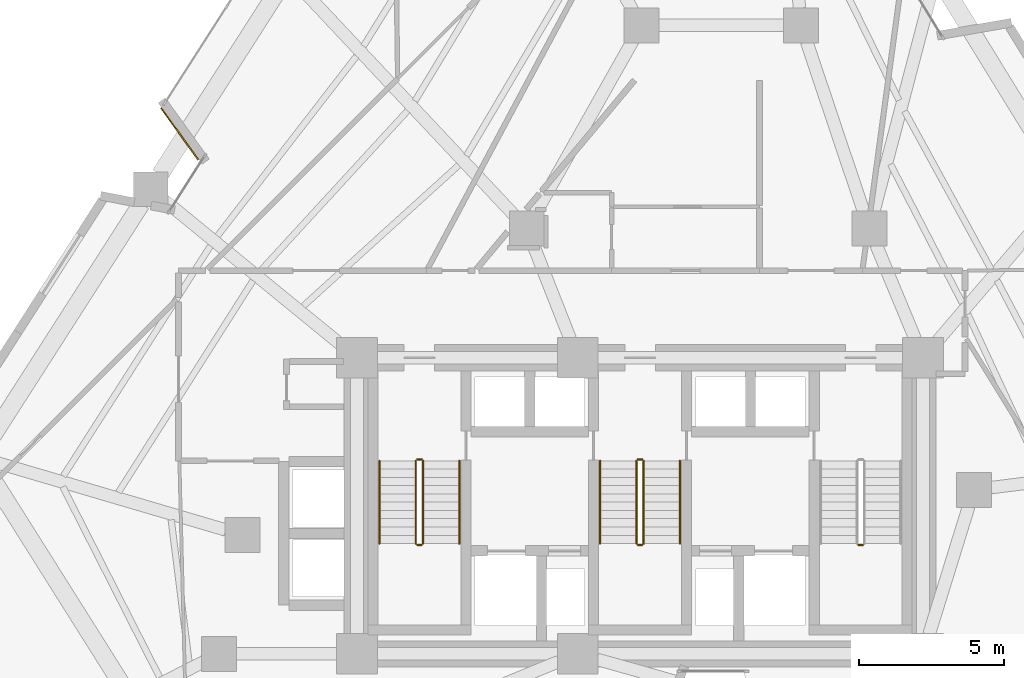
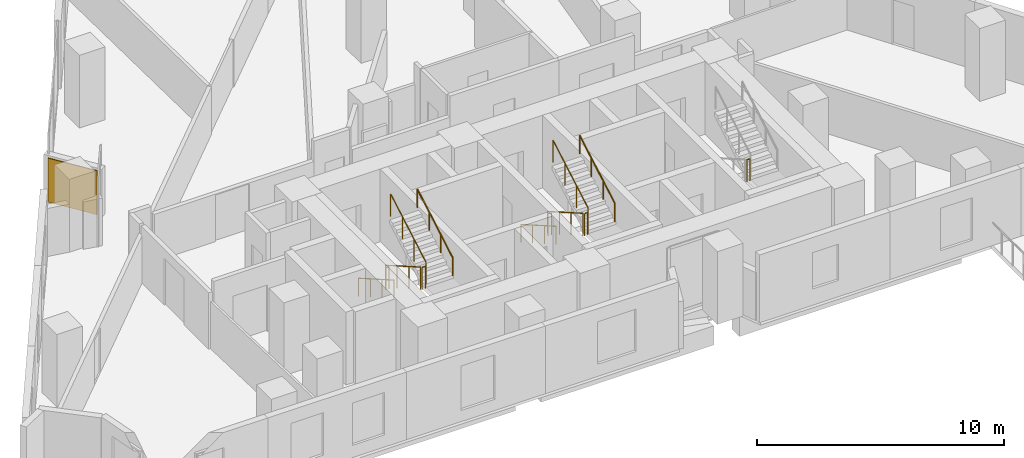
# One storey, part 10 of 12: 13 railings, 1 covering.
"""IFC4 building model written with IfcOpenShell, lengths in metres."""

import ifcopenshell
import ifcopenshell.guid

model = None  # the IFC model being written
_history = None  # IfcOwnerHistory: only IFC2X3 demands one
_inside = {}  # id of a spatial element -> (the spatial element, [elements in it])
_under = {}  # id of a project, library or spatial element -> (it, [spatial elements below it])
_declared = {}  # id of a project -> (the project, [libraries it declares])
_typed = {}  # id of a type object -> (the type object, [elements of that type])
_made_of = {}  # id of a material, layer set ... -> (it, [elements and type objects made of it])


def new_model(schema):
    """Start an empty IFC model of exactly this schema.

    Asked for "IFC4X3", IfcOpenShell would pick the latest addendum, in which some entities
    have other attributes; the version numbers below select the first issue.
    IFC2X3 requires an IfcOwnerHistory on every rooted entity: one is made here for all.
    """
    global model, _history
    if schema == "IFC4X3":
        model = ifcopenshell.file(schema_version=(4, 3, 0, 0))
    else:
        model = ifcopenshell.file(schema=schema)
    _inside.clear()
    _under.clear()
    _declared.clear()
    _typed.clear()
    _made_of.clear()
    _history = None
    if model.schema == "IFC2X3":
        org = make("IfcOrganization", Name="unknown")
        user = make(
            "IfcPersonAndOrganization",
            ThePerson=make("IfcPerson", FamilyName="unknown"),
            TheOrganization=org,
        )
        app = make(
            "IfcApplication",
            ApplicationDeveloper=org,
            Version="unknown",
            ApplicationFullName="unknown",
            ApplicationIdentifier="unknown",
        )
        _history = make(
            "IfcOwnerHistory",
            OwningUser=user,
            OwningApplication=app,
            ChangeAction="ADDED",
            CreationDate=0,
        )
    return model


def make(cls, **values):
    """One entity of the class cls with the attributes given. An attribute that is None is left unset."""
    return model.create_entity(
        cls, **{name: value for name, value in values.items() if value is not None}
    )


def rooted(cls, **values):
    """An entity with a GlobalId (a new one), such as an element, a storey or a relation."""
    return make(cls, GlobalId=ifcopenshell.guid.new(), OwnerHistory=_history, **values)


def si_unit(unit_type, name, prefix=None):
    """IfcSIUnit, for example si_unit("LENGTHUNIT", "METRE", prefix="MILLI")."""
    return make("IfcSIUnit", UnitType=unit_type, Prefix=prefix, Name=name)


def assignment(units):
    """IfcUnitAssignment: the units of a project."""
    return None if units is None else make("IfcUnitAssignment", Units=units)


def point(xyz):
    """IfcCartesianPoint."""
    return None if xyz is None else make("IfcCartesianPoint", Coordinates=xyz)


def direction(xyz):
    """IfcDirection."""
    return None if xyz is None else make("IfcDirection", DirectionRatios=xyz)


def frame(location, z_axis=None, x_axis=None):
    """IfcAxis2Placement3D, a coordinate frame: its origin and axes. An axis left out is left unset."""
    return make(
        "IfcAxis2Placement3D",
        Location=point(location),
        Axis=direction(z_axis),
        RefDirection=direction(x_axis),
    )


def frame_2d(location, x_axis=None):
    """IfcAxis2Placement2D, a coordinate frame in the plane: its origin and x axis."""
    return make(
        "IfcAxis2Placement2D", Location=point(location), RefDirection=direction(x_axis)
    )


def origin():
    """The frame at (0, 0, 0) with its axes left unset."""
    return frame((0.0, 0.0, 0.0))


def origin_2d():
    """The frame at (0, 0) in the plane with its x axis left unset."""
    return frame_2d((0.0, 0.0))


def place(relative_to, where):
    """IfcLocalPlacement: puts the frame where relative to a parent placement (None: the world)."""
    return make(
        "IfcLocalPlacement", PlacementRelTo=relative_to, RelativePlacement=where
    )


def context(
    kind, dimensions, precision=None, world=None, true_north=None, identifier=None
):
    """IfcGeometricRepresentationContext, for example the 3D "Model" context."""
    return make(
        "IfcGeometricRepresentationContext",
        ContextIdentifier=identifier,
        ContextType=kind,
        CoordinateSpaceDimension=dimensions,
        Precision=precision,
        WorldCoordinateSystem=world,
        TrueNorth=true_north,
    )


def subcontext(parent, identifier, kind, view, scale=None):
    """IfcGeometricRepresentationSubContext, for example "Body" below "Model"."""
    return make(
        "IfcGeometricRepresentationSubContext",
        ContextIdentifier=identifier,
        ContextType=kind,
        ParentContext=parent,
        TargetScale=scale,
        TargetView=view,
    )


def project(units=None, contexts=None):
    """IfcProject with its units and contexts."""
    return rooted(
        "IfcProject",
        Name="project",
        RepresentationContexts=contexts,
        UnitsInContext=assignment(units),
    )


def spatial(cls, under=None, at=None, **own):
    """A site, building, storey or space (cls), placed at a placement, below another one or the project."""
    s = rooted(cls, ObjectPlacement=at, **own)
    if under is not None:
        _under.setdefault(under.id(), (under, []))[1].append(s)
    return s


def profile(cls, at=None, kind="AREA", **sizes):
    """A parametric profile (cls). Its sizes go by their IFC names, for example OverallWidth=200.0."""
    return make(cls, ProfileType=kind, Position=at, **sizes)


def rectangle(**sizes):
    """IfcRectangleProfileDef."""
    return profile("IfcRectangleProfileDef", **sizes)


def circle(**sizes):
    """IfcCircleProfileDef."""
    return profile("IfcCircleProfileDef", **sizes)


def extrude(swept, where, along, depth):
    """IfcExtrudedAreaSolid: the profile swept, set in the frame where, extruded along a direction by depth."""
    return make(
        "IfcExtrudedAreaSolid",
        SweptArea=swept,
        Position=where,
        ExtrudedDirection=direction(along),
        Depth=depth,
    )


def shape(context_of_items, identifier, shape_type, items):
    """IfcShapeRepresentation: the items that make up one representation, for example the "Body"."""
    return make(
        "IfcShapeRepresentation",
        ContextOfItems=context_of_items,
        RepresentationIdentifier=identifier,
        RepresentationType=shape_type,
        Items=items,
    )


def material(Name=None, Category=None):
    """IfcMaterial."""
    return make("IfcMaterial", Name=Name, Category=Category)


def layer(
    of_material, thickness, ventilated=None, Name=None, Category=None, Priority=None
):
    """IfcMaterialLayer: one layer of a wall or slab, of a material (None: an air gap)."""
    return make(
        "IfcMaterialLayer",
        Material=of_material,
        LayerThickness=thickness,
        IsVentilated=ventilated,
        Name=Name,
        Category=Category,
        Priority=Priority,
    )


def layer_set(layers, Name=None):
    """IfcMaterialLayerSet."""
    return make("IfcMaterialLayerSet", MaterialLayers=layers, LayerSetName=Name)


def made_of(thing, what):
    """Note that an element or type object is made of a material, layer set ...; save() writes the relation."""
    if what is not None:
        _made_of.setdefault(what.id(), (what, []))[1].append(thing)
    return thing


def type_object(cls, material=None, **own):
    """A type object (cls), such as IfcWallType, which elements share."""
    return made_of(rooted(cls, **own), material)


def element(
    cls,
    number,
    at=None,
    inside=None,
    cuts=None,
    type_object=None,
    material=None,
    context=None,
    identifier="Body",
    shape_type=None,
    held_by="IfcProductDefinitionShape",
    body=None,
    shapes=None,
    **own,
):
    """One element of the class cls, such as IfcWall. Its Tag is "e" and its number.

    at: its placement. inside: the storey or other place that contains it. cuts: it is an
    opening in that element (IfcRelVoidsElement). A single representation is given by context,
    identifier, shape_type and body (its items); several are given by shapes. held_by: the class
    of the entity that holds the representations. save() writes the other relations.
    """
    e = rooted(cls, Tag="e%d" % number, ObjectPlacement=at, **own)
    if body is not None:
        shapes = [shape(context, identifier, shape_type, body)]
    if shapes is not None:
        e.Representation = make(held_by, Representations=shapes)
    if inside is not None:
        _inside.setdefault(inside.id(), (inside, []))[1].append(e)
    if cuts is not None:
        rooted(
            "IfcRelVoidsElement", RelatingBuildingElement=cuts, RelatedOpeningElement=e
        )
    if type_object is not None:
        _typed.setdefault(type_object.id(), (type_object, []))[1].append(e)
    return made_of(e, material)


def aggregate(whole, parts):
    """IfcRelAggregates: a whole, such as a stair, and the parts it consists of."""
    return rooted("IfcRelAggregates", RelatingObject=whole, RelatedObjects=parts)


def save(model, path):
    """Write the relations noted so far, then the file.

    IfcRelAggregates (storeys below a building ...), IfcRelContainedInSpatialStructure (elements
    in a storey), IfcRelDefinesByType, IfcRelAssociatesMaterial and IfcRelDeclares: one each for
    every whole, place, type object, material and project.
    """
    for whole, parts in _under.values():
        aggregate(whole, parts)
    for where, things in _inside.values():
        rooted(
            "IfcRelContainedInSpatialStructure",
            RelatedElements=things,
            RelatingStructure=where,
        )
    for kind, things in _typed.values():
        rooted("IfcRelDefinesByType", RelatedObjects=things, RelatingType=kind)
    for what, things in _made_of.values():
        rooted("IfcRelAssociatesMaterial", RelatedObjects=things, RelatingMaterial=what)
    for by, libraries in _declared.values():
        rooted("IfcRelDeclares", RelatingContext=by, RelatedDefinitions=libraries)
    model.write(path)


model = new_model("IFC4")

# Units and contexts
model_context = context("Model", 3, precision=1e-05, world=origin(), true_north=direction((0.0, 1.0)))
body_context = subcontext(model_context, "Body", "Model", "MODEL_VIEW")
ifc_project = project(units=[si_unit("LENGTHUNIT", "METRE"), si_unit("AREAUNIT", "SQUARE_METRE"), si_unit("VOLUMEUNIT", "CUBIC_METRE"), si_unit("PLANEANGLEUNIT", "RADIAN"), si_unit("MASSUNIT", "GRAM", prefix="KILO")], contexts=[model_context])

# Site, building, storey
site_placement = place(None, origin())
site = spatial("IfcSite", under=ifc_project, at=site_placement, CompositionType="ELEMENT")
building_placement = place(site_placement, origin())
building = spatial("IfcBuilding", under=site, at=building_placement, Name="Almagre Mirador Tower", CompositionType="ELEMENT")
storey_placement = place(building_placement, frame((0.0, 0.0, 93.0)))
storey = spatial("IfcBuildingStorey", under=building, at=storey_placement, Name="L23", CompositionType="ELEMENT", Elevation=93.0)

# Covering
ifc_material_1 = material(Name="Almagre terracotta architectural cladding", Category="masonry")
ifc_layer = layer(ifc_material_1, 0.044921875)
ifc_layer_set = layer_set([ifc_layer], Name="Almagre terracotta architectural cladding")
covering_type = type_object("IfcCoveringType", Name="COV-CLAD-ALMAGRE", PredefinedType="CLADDING", material=ifc_layer_set)
covering_placement = place(storey_placement, frame((21.4404296875, 22.4638671875, 0.10009765625), z_axis=(0.0, 0.0, 1.0), x_axis=(-0.583186817535, 0.812338067466, 0.0)))
element("IfcCovering", 1, at=covering_placement, inside=storey, type_object=covering_type, Name="L23 almagre terracotta pier cladding", PredefinedType="CLADDING", context=body_context, shape_type="SweptSolid", body=[
    extrude(rectangle(XDim=2.193115234375, YDim=0.044921875, at=origin_2d()), origin(), (0.0, 0.0, 1.0), 2.175048828125),
])

# Railings
ifc_material_2 = material(Name="Painted galvanized steel", Category="steel")
railing_type_1 = type_object("IfcRailingType", Name="RLG-GRD-1100", PredefinedType="GUARDRAIL", material=ifc_material_2)
railing_1_placement = place(storey_placement, frame((29.574951171875, 11.199951171875, 0.16357421875)))
element("IfcRailing", 2, at=railing_1_placement, inside=storey, type_object=railing_type_1, Name="L23 ST-1 stair guard 1", PredefinedType="GUARDRAIL", context=body_context, shape_type="SweptSolid", body=[
    extrude(circle(Radius=0.02392578125, at=origin_2d()), frame((0.0, 0.0, 1.09619140625), z_axis=(0.0, -0.867194282975, 0.497969954491), x_axis=(1.0, 0.0, 0.0)), (0.0, 0.0, 1.0), 3.286376953125),
    extrude(circle(Radius=0.02099609375, at=origin_2d()), origin(), (0.0, 0.0, 1.0), 1.072021484375),
    extrude(circle(Radius=0.02099609375, at=origin_2d()), frame((0.0, -0.949951171875, 0.54541015625)), (0.0, 0.0, 1.0), 1.072021484375),
    extrude(circle(Radius=0.02099609375, at=origin_2d()), frame((0.0, -1.89990234375, 1.091064453125)), (0.0, 0.0, 1.0), 1.072021484375),
    extrude(circle(Radius=0.02099609375, at=origin_2d()), frame((0.0, -2.849853515625, 1.636474609375)), (0.0, 0.0, 1.0), 1.072021484375),
])
railing_2_placement = place(storey_placement, frame((29.625, 8.300048828125, 1.800048828125)))
element("IfcRailing", 3, at=railing_2_placement, inside=storey, type_object=railing_type_1, Name="L23 ST-1 stair guard 2", PredefinedType="GUARDRAIL", context=body_context, shape_type="SweptSolid", body=[
    extrude(circle(Radius=0.02392578125, at=origin_2d()), frame((0.0, 0.0, 1.09619140625), z_axis=(1.0, 0.0, 0.0), x_axis=(0.0, 1.0, 0.0)), (0.0, 0.0, 1.0), 0.14990234375),
    extrude(circle(Radius=0.02099609375, at=origin_2d()), origin(), (0.0, 0.0, 1.0), 1.072021484375),
    extrude(circle(Radius=0.02099609375, at=origin_2d()), frame((0.14990234375, 0.0, 0.0)), (0.0, 0.0, 1.0), 1.072021484375),
])
railing_3_placement = place(storey_placement, frame((29.824951171875, 8.35009765625, 1.963623046875)))
element("IfcRailing", 4, at=railing_3_placement, inside=storey, type_object=railing_type_1, Name="L23 ST-1 stair guard 3", PredefinedType="GUARDRAIL", context=body_context, shape_type="SweptSolid", body=[
    extrude(circle(Radius=0.02392578125, at=origin_2d()), frame((0.0, 0.0, 1.09619140625), z_axis=(0.0, 0.867194282975, 0.497969954491), x_axis=(-1.0, 0.0, 0.0)), (0.0, 0.0, 1.0), 3.286376953125),
    extrude(circle(Radius=0.02099609375, at=origin_2d()), origin(), (0.0, 0.0, 1.0), 1.072021484375),
    extrude(circle(Radius=0.02099609375, at=origin_2d()), frame((0.0, 0.949951171875, 0.54541015625)), (0.0, 0.0, 1.0), 1.072021484375),
    extrude(circle(Radius=0.02099609375, at=origin_2d()), frame((0.0, 1.89990234375, 1.091064453125)), (0.0, 0.0, 1.0), 1.072021484375),
    extrude(circle(Radius=0.02099609375, at=origin_2d()), frame((0.0, 2.849853515625, 1.636474609375)), (0.0, 0.0, 1.0), 1.072021484375),
])
railing_4_placement = place(storey_placement, frame((29.625, 11.25, 0.0)))
element("IfcRailing", 5, at=railing_4_placement, inside=storey, type_object=railing_type_1, Name="L23 ST-1 stair guard 4", PredefinedType="GUARDRAIL", context=body_context, shape_type="SweptSolid", body=[
    extrude(circle(Radius=0.02392578125, at=origin_2d()), frame((0.0, 0.0, 1.09619140625), z_axis=(1.0, 0.0, 0.0), x_axis=(0.0, 1.0, 0.0)), (0.0, 0.0, 1.0), 0.14990234375),
    extrude(circle(Radius=0.02099609375, at=origin_2d()), origin(), (0.0, 0.0, 1.0), 1.072021484375),
    extrude(circle(Radius=0.02099609375, at=origin_2d()), frame((0.14990234375, 0.0, 0.0)), (0.0, 0.0, 1.0), 1.072021484375),
])
railing_5_placement = place(storey_placement, frame((37.175048828125, 11.199951171875, 0.16357421875)))
element("IfcRailing", 6, at=railing_5_placement, inside=storey, type_object=railing_type_1, Name="L23 ST-2 stair guard 1", PredefinedType="GUARDRAIL", context=body_context, shape_type="SweptSolid", body=[
    extrude(circle(Radius=0.02392578125, at=origin_2d()), frame((0.0, 0.0, 1.09619140625), z_axis=(0.0, -0.867194282975, 0.497969954491), x_axis=(1.0, 0.0, 0.0)), (0.0, 0.0, 1.0), 3.286376953125),
    extrude(circle(Radius=0.02099609375, at=origin_2d()), origin(), (0.0, 0.0, 1.0), 1.072021484375),
    extrude(circle(Radius=0.02099609375, at=origin_2d()), frame((0.0, -0.949951171875, 0.54541015625)), (0.0, 0.0, 1.0), 1.072021484375),
    extrude(circle(Radius=0.02099609375, at=origin_2d()), frame((0.0, -1.89990234375, 1.091064453125)), (0.0, 0.0, 1.0), 1.072021484375),
    extrude(circle(Radius=0.02099609375, at=origin_2d()), frame((0.0, -2.849853515625, 1.636474609375)), (0.0, 0.0, 1.0), 1.072021484375),
])
railing_6_placement = place(storey_placement, frame((37.22509765625, 8.300048828125, 1.800048828125)))
element("IfcRailing", 7, at=railing_6_placement, inside=storey, type_object=railing_type_1, Name="L23 ST-2 stair guard 2", PredefinedType="GUARDRAIL", context=body_context, shape_type="SweptSolid", body=[
    extrude(circle(Radius=0.02392578125, at=origin_2d()), frame((0.0, 0.0, 1.09619140625), z_axis=(1.0, 0.0, 0.0), x_axis=(0.0, 1.0, 0.0)), (0.0, 0.0, 1.0), 0.14990234375),
    extrude(circle(Radius=0.02099609375, at=origin_2d()), origin(), (0.0, 0.0, 1.0), 1.072021484375),
    extrude(circle(Radius=0.02099609375, at=origin_2d()), frame((0.14990234375, 0.0, 0.0)), (0.0, 0.0, 1.0), 1.072021484375),
])
railing_7_placement = place(storey_placement, frame((37.425048828125, 8.35009765625, 1.963623046875)))
element("IfcRailing", 8, at=railing_7_placement, inside=storey, type_object=railing_type_1, Name="L23 ST-2 stair guard 3", PredefinedType="GUARDRAIL", context=body_context, shape_type="SweptSolid", body=[
    extrude(circle(Radius=0.02392578125, at=origin_2d()), frame((0.0, 0.0, 1.09619140625), z_axis=(0.0, 0.867194282975, 0.497969954491), x_axis=(-1.0, 0.0, 0.0)), (0.0, 0.0, 1.0), 3.286376953125),
    extrude(circle(Radius=0.02099609375, at=origin_2d()), origin(), (0.0, 0.0, 1.0), 1.072021484375),
    extrude(circle(Radius=0.02099609375, at=origin_2d()), frame((0.0, 0.949951171875, 0.54541015625)), (0.0, 0.0, 1.0), 1.072021484375),
    extrude(circle(Radius=0.02099609375, at=origin_2d()), frame((0.0, 1.89990234375, 1.091064453125)), (0.0, 0.0, 1.0), 1.072021484375),
    extrude(circle(Radius=0.02099609375, at=origin_2d()), frame((0.0, 2.849853515625, 1.636474609375)), (0.0, 0.0, 1.0), 1.072021484375),
])
railing_8_placement = place(storey_placement, frame((37.22509765625, 11.25, 0.0)))
element("IfcRailing", 9, at=railing_8_placement, inside=storey, type_object=railing_type_1, Name="L23 ST-2 stair guard 4", PredefinedType="GUARDRAIL", context=body_context, shape_type="SweptSolid", body=[
    extrude(circle(Radius=0.02392578125, at=origin_2d()), frame((0.0, 0.0, 1.09619140625), z_axis=(1.0, 0.0, 0.0), x_axis=(0.0, 1.0, 0.0)), (0.0, 0.0, 1.0), 0.14990234375),
    extrude(circle(Radius=0.02099609375, at=origin_2d()), origin(), (0.0, 0.0, 1.0), 1.072021484375),
    extrude(circle(Radius=0.02099609375, at=origin_2d()), frame((0.14990234375, 0.0, 0.0)), (0.0, 0.0, 1.0), 1.072021484375),
])
railing_9_placement = place(storey_placement, frame((44.824951171875, 8.300048828125, 1.800048828125)))
element("IfcRailing", 10, at=railing_9_placement, inside=storey, type_object=railing_type_1, Name="L23 ST-3 stair guard 2", PredefinedType="GUARDRAIL", context=body_context, shape_type="SweptSolid", body=[
    extrude(circle(Radius=0.02392578125, at=origin_2d()), frame((0.0, 0.0, 1.09619140625), z_axis=(1.0, 0.0, 0.0), x_axis=(0.0, 1.0, 0.0)), (0.0, 0.0, 1.0), 0.150146484375),
    extrude(circle(Radius=0.02099609375, at=origin_2d()), origin(), (0.0, 0.0, 1.0), 1.072021484375),
    extrude(circle(Radius=0.02099609375, at=origin_2d()), frame((0.150146484375, 0.0, 0.0)), (0.0, 0.0, 1.0), 1.072021484375),
])
ifc_material_3 = material(Name="Brushed stainless steel", Category="steel")
railing_type_2 = type_object("IfcRailingType", Name="RLG-HND-915", PredefinedType="HANDRAIL", material=ifc_material_3)
railing_10_placement = place(storey_placement, frame((28.324951171875, 11.199951171875, 0.16357421875)))
element("IfcRailing", 11, at=railing_10_placement, inside=storey, type_object=railing_type_2, Name="L23 ST-1 stair handrail 1", PredefinedType="HANDRAIL", context=body_context, shape_type="SweptSolid", body=[
    extrude(circle(Radius=0.02392578125, at=origin_2d()), frame((0.0, 0.0, 0.89111328125), z_axis=(0.0, -0.867194282975, 0.497969954491), x_axis=(1.0, 0.0, 0.0)), (0.0, 0.0, 1.0), 3.286376953125),
    extrude(circle(Radius=0.02099609375, at=origin_2d()), origin(), (0.0, 0.0, 1.0), 0.866943359375),
    extrude(circle(Radius=0.02099609375, at=origin_2d()), frame((0.0, -0.949951171875, 0.54541015625)), (0.0, 0.0, 1.0), 0.866943359375),
    extrude(circle(Radius=0.02099609375, at=origin_2d()), frame((0.0, -1.89990234375, 1.091064453125)), (0.0, 0.0, 1.0), 0.866943359375),
    extrude(circle(Radius=0.02099609375, at=origin_2d()), frame((0.0, -2.849853515625, 1.636474609375)), (0.0, 0.0, 1.0), 0.866943359375),
])
railing_11_placement = place(storey_placement, frame((31.074951171875, 8.35009765625, 1.963623046875)))
element("IfcRailing", 12, at=railing_11_placement, inside=storey, type_object=railing_type_2, Name="L23 ST-1 stair handrail 2", PredefinedType="HANDRAIL", context=body_context, shape_type="SweptSolid", body=[
    extrude(circle(Radius=0.02392578125, at=origin_2d()), frame((0.0, 0.0, 0.89111328125), z_axis=(0.0, 0.867194282975, 0.497969954491), x_axis=(-1.0, 0.0, 0.0)), (0.0, 0.0, 1.0), 3.286376953125),
    extrude(circle(Radius=0.02099609375, at=origin_2d()), origin(), (0.0, 0.0, 1.0), 0.866943359375),
    extrude(circle(Radius=0.02099609375, at=origin_2d()), frame((0.0, 0.949951171875, 0.54541015625)), (0.0, 0.0, 1.0), 0.866943359375),
    extrude(circle(Radius=0.02099609375, at=origin_2d()), frame((0.0, 1.89990234375, 1.091064453125)), (0.0, 0.0, 1.0), 0.866943359375),
    extrude(circle(Radius=0.02099609375, at=origin_2d()), frame((0.0, 2.849853515625, 1.636474609375)), (0.0, 0.0, 1.0), 0.866943359375),
])
railing_12_placement = place(storey_placement, frame((35.925048828125, 11.199951171875, 0.16357421875)))
element("IfcRailing", 13, at=railing_12_placement, inside=storey, type_object=railing_type_2, Name="L23 ST-2 stair handrail 1", PredefinedType="HANDRAIL", context=body_context, shape_type="SweptSolid", body=[
    extrude(circle(Radius=0.02392578125, at=origin_2d()), frame((0.0, 0.0, 0.89111328125), z_axis=(0.0, -0.867194282975, 0.497969954491), x_axis=(1.0, 0.0, 0.0)), (0.0, 0.0, 1.0), 3.286376953125),
    extrude(circle(Radius=0.02099609375, at=origin_2d()), origin(), (0.0, 0.0, 1.0), 0.866943359375),
    extrude(circle(Radius=0.02099609375, at=origin_2d()), frame((0.0, -0.949951171875, 0.54541015625)), (0.0, 0.0, 1.0), 0.866943359375),
    extrude(circle(Radius=0.02099609375, at=origin_2d()), frame((0.0, -1.89990234375, 1.091064453125)), (0.0, 0.0, 1.0), 0.866943359375),
    extrude(circle(Radius=0.02099609375, at=origin_2d()), frame((0.0, -2.849853515625, 1.636474609375)), (0.0, 0.0, 1.0), 0.866943359375),
])
railing_13_placement = place(storey_placement, frame((38.675048828125, 8.35009765625, 1.963623046875)))
element("IfcRailing", 14, at=railing_13_placement, inside=storey, type_object=railing_type_2, Name="L23 ST-2 stair handrail 2", PredefinedType="HANDRAIL", context=body_context, shape_type="SweptSolid", body=[
    extrude(circle(Radius=0.02392578125, at=origin_2d()), frame((0.0, 0.0, 0.89111328125), z_axis=(0.0, 0.867194282975, 0.497969954491), x_axis=(-1.0, 0.0, 0.0)), (0.0, 0.0, 1.0), 3.286376953125),
    extrude(circle(Radius=0.02099609375, at=origin_2d()), origin(), (0.0, 0.0, 1.0), 0.866943359375),
    extrude(circle(Radius=0.02099609375, at=origin_2d()), frame((0.0, 0.949951171875, 0.54541015625)), (0.0, 0.0, 1.0), 0.866943359375),
    extrude(circle(Radius=0.02099609375, at=origin_2d()), frame((0.0, 1.89990234375, 1.091064453125)), (0.0, 0.0, 1.0), 0.866943359375),
    extrude(circle(Radius=0.02099609375, at=origin_2d()), frame((0.0, 2.849853515625, 1.636474609375)), (0.0, 0.0, 1.0), 0.866943359375),
])

save(model, "model.ifc")
